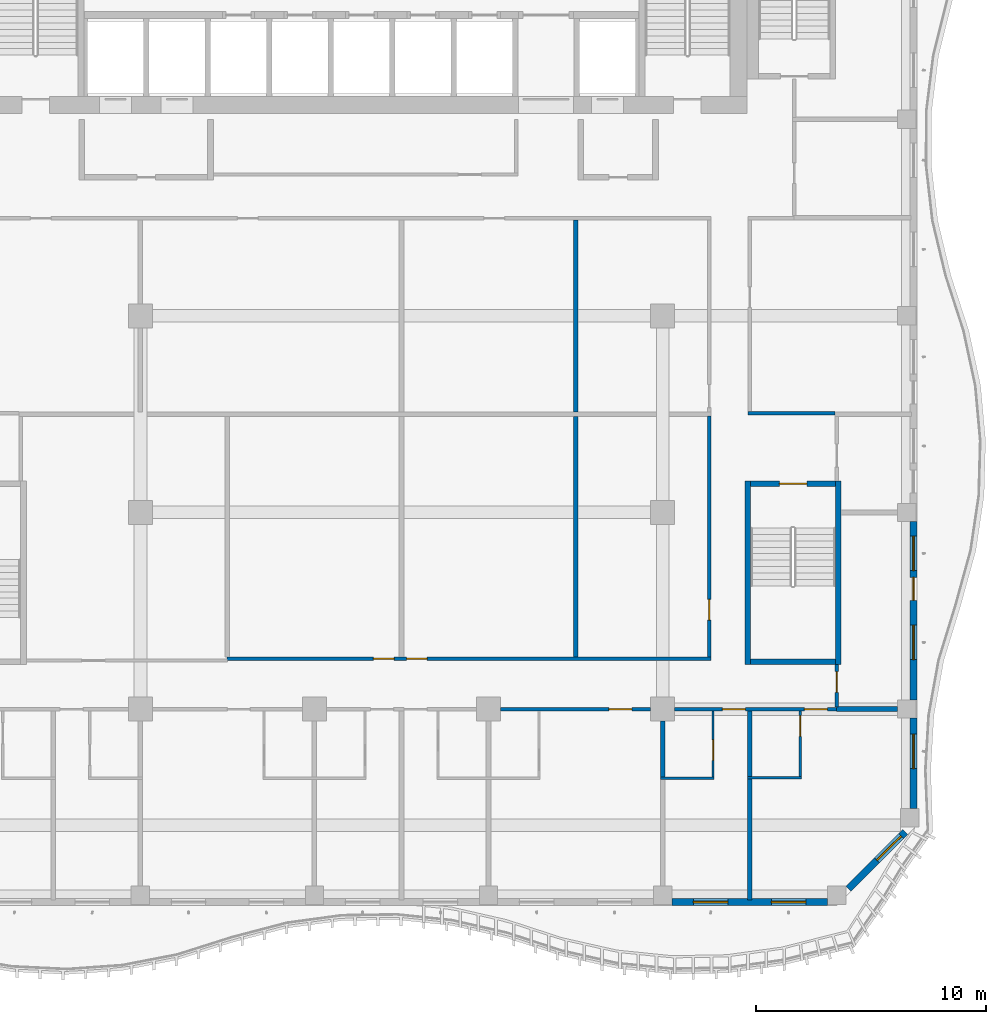
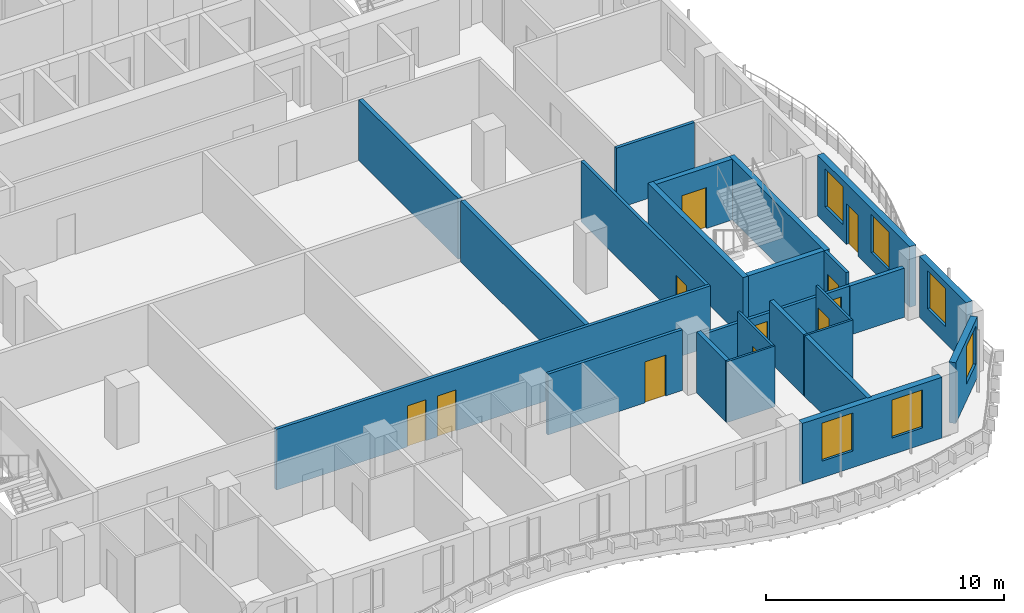
# One storey, part 5 of 21: 24 walls, 11 doors, 6 windows, 17 openings.
"""IFC4 building model written with IfcOpenShell, lengths in metres."""

from ifc_helpers import new_model, si_unit, direction, frame, frame_2d, origin, place, context, subcontext, project, spatial, rectangle, extrude, source, transform, mapped, material, layer, layer_set, type_object, element, fill, save


model = new_model("IFC4")

# Units and contexts
model_context = context("Model", 3, precision=1e-05, world=origin(), true_north=direction((0.0, 1.0)))
body_context = subcontext(model_context, "Body", "Model", "MODEL_VIEW")
ifc_project = project(units=[si_unit("LENGTHUNIT", "METRE"), si_unit("AREAUNIT", "SQUARE_METRE"), si_unit("VOLUMEUNIT", "CUBIC_METRE"), si_unit("PLANEANGLEUNIT", "RADIAN"), si_unit("MASSUNIT", "GRAM", prefix="KILO")], contexts=[model_context])

# Site, building, storey
site_placement = place(None, origin())
site = spatial("IfcSite", under=ifc_project, at=site_placement, CompositionType="ELEMENT")
building_placement = place(site_placement, origin())
building = spatial("IfcBuilding", under=site, at=building_placement, Name="Kilnfold Tower and Market Hall", CompositionType="ELEMENT")
storey_placement = place(building_placement, frame((0.0, 0.0, 185.5)))
storey = spatial("IfcBuildingStorey", under=building, at=storey_placement, Name="L44", CompositionType="ELEMENT", Elevation=185.5)

# Wall, opening, door
ifc_material_1 = material(Name="Gypsum board on steel studs", Category="steel")
ifc_layer_1 = layer(ifc_material_1, 0.14990234375)
ifc_layer_set_1 = layer_set([ifc_layer_1], Name="Gypsum board on steel studs")
wall_type_1 = type_object("IfcWallType", Name="WALL CORRIDOR 150", PredefinedType="PARTITIONING", material=ifc_layer_set_1)
wall_1_placement = place(storey_placement, frame((7.10791015625, -17.699951171875, 0.0), z_axis=(0.0, 0.0, 1.0), x_axis=(1.0, 0.0, 0.0)))
wall_1 = element("IfcWall", 1, at=wall_1_placement, inside=storey, type_object=wall_type_1, Name="Partition LY27.5", PredefinedType="PARTITIONING", context=body_context, shape_type="SweptSolid", body=[
    extrude(rectangle(XDim=6.5341796875, YDim=0.14990234375, at=frame_2d((3.26708984375, 0.0))), origin(), (0.0, 0.0, 1.0), 3.1201171875),
])
opening_1_placement = place(wall_1_placement, frame((4.721923828125, 0.0, 0.0)))
opening_1 = element("IfcOpeningElement", 2, at=opening_1_placement, cuts=wall_1, Name="Opening D1", PredefinedType="OPENING", context=body_context, shape_type="SweptSolid", body=[
    extrude(rectangle(XDim=1.0, YDim=2.10009765625, at=frame_2d((0.5, 1.050048828125))), frame((0.0, 0.0849609375, 0.0), z_axis=(0.0, -1.0, 0.0), x_axis=(1.0, 0.0, 0.0)), (0.0, 0.0, 1.0), 0.169921875),
])
ifc_material_2 = material(Name="Timber veneer door leaf in steel frame", Category="steel")
door_type_1 = type_object("IfcDoorType", Name="DOOR ENTRY 1000 X2100", OperationType="NOTDEFINED", PredefinedType="DOOR", material=ifc_material_2)
door_1_placement = place(opening_1_placement, origin())
door_1 = element("IfcDoor", 3, at=door_1_placement, inside=storey, type_object=door_type_1, Name="Door D1", OperationType="SINGLE_SWING_LEFT", OverallHeight=2.10009765625, OverallWidth=1.0, PredefinedType="DOOR", context=body_context, shape_type="SweptSolid", body=[
    extrude(rectangle(XDim=1.0, YDim=2.10009765625, at=frame_2d((0.5, 1.050048828125))), frame((0.0, 0.02490234375, 0.0), z_axis=(0.0, -1.0, 0.0), x_axis=(1.0, 0.0, 0.0)), (0.0, 0.0, 1.0), 0.050048828125),
])
fill(opening_1, door_1)

# Wall, openings, doors
wall_2_placement = place(storey_placement, frame((14.69189453125, -17.699951171875, 0.0), z_axis=(0.0, 0.0, 1.0), x_axis=(1.0, 0.0, 0.0)))
wall_2 = element("IfcWall", 4, at=wall_2_placement, inside=storey, type_object=wall_type_1, Name="Partition LY27.6", PredefinedType="PARTITIONING", context=body_context, shape_type="SweptSolid", body=[
    extrude(rectangle(XDim=7.05810546875, YDim=0.14990234375, at=frame_2d((3.529052734375, 0.0))), origin(), (0.0, 0.0, 1.0), 2.52001953125),
])
opening_2_placement = place(wall_2_placement, frame((2.076904296875, 0.0, 0.0)))
opening_2 = element("IfcOpeningElement", 5, at=opening_2_placement, cuts=wall_2, Name="Opening D1", PredefinedType="OPENING", context=body_context, shape_type="SweptSolid", body=[
    extrude(rectangle(XDim=1.0, YDim=2.10009765625, at=frame_2d((0.5, 1.050048828125))), frame((0.0, 0.0849609375, 0.0), z_axis=(0.0, -1.0, 0.0), x_axis=(1.0, 0.0, 0.0)), (0.0, 0.0, 1.0), 0.169921875),
])
opening_3_placement = place(wall_2_placement, frame((5.656982421875, 0.0, 0.0)))
opening_3 = element("IfcOpeningElement", 6, at=opening_3_placement, cuts=wall_2, Name="Opening D1", PredefinedType="OPENING", context=body_context, shape_type="SweptSolid", body=[
    extrude(rectangle(XDim=1.0, YDim=2.10009765625, at=frame_2d((0.5, 1.050048828125))), frame((0.0, 0.0849609375, 0.0), z_axis=(0.0, -1.0, 0.0), x_axis=(1.0, 0.0, 0.0)), (0.0, 0.0, 1.0), 0.169921875),
])
door_2_placement = place(opening_2_placement, origin())
door_2 = element("IfcDoor", 7, at=door_2_placement, inside=storey, type_object=door_type_1, Name="Door D1", OperationType="SINGLE_SWING_LEFT", OverallHeight=2.10009765625, OverallWidth=1.0, PredefinedType="DOOR", context=body_context, shape_type="SweptSolid", body=[
    extrude(rectangle(XDim=1.0, YDim=2.10009765625, at=frame_2d((0.5, 1.050048828125))), frame((0.0, 0.02490234375, 0.0), z_axis=(0.0, -1.0, 0.0), x_axis=(1.0, 0.0, 0.0)), (0.0, 0.0, 1.0), 0.050048828125),
])
fill(opening_2, door_2)
door_3_placement = place(opening_3_placement, origin())
door_3 = element("IfcDoor", 8, at=door_3_placement, inside=storey, type_object=door_type_1, Name="Door D1", OperationType="SINGLE_SWING_LEFT", OverallHeight=2.10009765625, OverallWidth=1.0, PredefinedType="DOOR", context=body_context, shape_type="SweptSolid", body=[
    extrude(rectangle(XDim=1.0, YDim=2.10009765625, at=frame_2d((0.5, 1.050048828125))), frame((0.0, 0.02490234375, 0.0), z_axis=(0.0, -1.0, 0.0), x_axis=(1.0, 0.0, 0.0)), (0.0, 0.0, 1.0), 0.050048828125),
])
fill(opening_3, door_3)

# Wall
wall_3_placement = place(storey_placement, frame((17.884033203125, -4.800048828125, 0.0), z_axis=(0.0, 0.0, 1.0), x_axis=(1.0, 0.0, 0.0)))
element("IfcWall", 9, at=wall_3_placement, inside=storey, type_object=wall_type_1, Name="Partition LY27.36", PredefinedType="PARTITIONING", context=body_context, shape_type="SweptSolid", body=[
    extrude(rectangle(XDim=3.79296875, YDim=0.14990234375, at=frame_2d((1.896484375, 0.0))), origin(), (0.0, 0.0, 1.0), 3.1201171875),
])

# Wall, opening, door
wall_4_placement = place(storey_placement, frame((21.75, -17.597900390625, 0.0), z_axis=(0.0, 0.0, 1.0), x_axis=(0.0, 1.0, 0.0)))
wall_4 = element("IfcWall", 10, at=wall_4_placement, inside=storey, type_object=wall_type_1, Name="Partition LY27.38", PredefinedType="PARTITIONING", context=body_context, shape_type="SweptSolid", body=[
    extrude(rectangle(XDim=1.847900390625, YDim=0.14990234375, at=frame_2d((0.923828125, 0.0))), origin(), (0.0, 0.0, 1.0), 3.1201171875),
])
opening_4_placement = place(wall_4_placement, frame((0.637939453125, 0.0, 0.0)))
opening_4 = element("IfcOpeningElement", 11, at=opening_4_placement, cuts=wall_4, Name="Opening D2", PredefinedType="OPENING", context=body_context, shape_type="SweptSolid", body=[
    extrude(rectangle(XDim=0.89990234375, YDim=2.10009765625, at=frame_2d((0.449951171875, 1.050048828125))), frame((0.0, 0.0849609375, 0.0), z_axis=(0.0, -1.0, 0.0), x_axis=(1.0, 0.0, 0.0)), (0.0, 0.0, 1.0), 0.169921875),
])
ifc_material_3 = material(Name="Timber veneer door leaf in steel frame", Category="steel")
door_type_2 = type_object("IfcDoorType", Name="DOOR ROOM 900 X2100", OperationType="NOTDEFINED", PredefinedType="DOOR", material=ifc_material_3)
door_4_placement = place(opening_4_placement, origin())
door_4 = element("IfcDoor", 12, at=door_4_placement, inside=storey, type_object=door_type_2, Name="Door D2", OperationType="SINGLE_SWING_LEFT", OverallHeight=2.10009765625, OverallWidth=0.89990234375, PredefinedType="DOOR", context=body_context, shape_type="SweptSolid", body=[
    extrude(rectangle(XDim=0.89990234375, YDim=2.10009765625, at=frame_2d((0.449951171875, 1.050048828125))), frame((0.0, 0.02490234375, 0.0), z_axis=(0.0, -1.0, 0.0), x_axis=(1.0, 0.0, 0.0)), (0.0, 0.0, 1.0), 0.050048828125),
])
fill(opening_4, door_4)

# Wall, openings, doors
wall_5_placement = place(storey_placement, frame((-4.802001953125, -15.5, 0.0), z_axis=(0.0, 0.0, 1.0), x_axis=(1.0, 0.0, 0.0)))
wall_5 = element("IfcWall", 13, at=wall_5_placement, inside=storey, type_object=wall_type_1, Name="Partition LY27.48", PredefinedType="PARTITIONING", context=body_context, shape_type="SweptSolid", body=[
    extrude(rectangle(XDim=21.076904296875, YDim=0.14990234375, at=frame_2d((10.53857421875, 0.0))), origin(), (0.0, 0.0, 1.0), 3.1201171875),
])
opening_5_placement = place(wall_5_placement, frame((6.3720703125, 0.0, 0.0)))
opening_5 = element("IfcOpeningElement", 14, at=opening_5_placement, cuts=wall_5, Name="Opening D2", PredefinedType="OPENING", context=body_context, shape_type="SweptSolid", body=[
    extrude(rectangle(XDim=0.89990234375, YDim=2.10009765625, at=frame_2d((0.449951171875, 1.050048828125))), frame((0.0, 0.0849609375, 0.0), z_axis=(0.0, -1.0, 0.0), x_axis=(1.0, 0.0, 0.0)), (0.0, 0.0, 1.0), 0.169921875),
])
opening_6_placement = place(wall_5_placement, frame((7.81494140625, 0.0, 0.0)))
opening_6 = element("IfcOpeningElement", 15, at=opening_6_placement, cuts=wall_5, Name="Opening D2", PredefinedType="OPENING", context=body_context, shape_type="SweptSolid", body=[
    extrude(rectangle(XDim=0.89990234375, YDim=2.10009765625, at=frame_2d((0.449951171875, 1.050048828125))), frame((0.0, 0.0849609375, 0.0), z_axis=(0.0, -1.0, 0.0), x_axis=(1.0, 0.0, 0.0)), (0.0, 0.0, 1.0), 0.169921875),
])
door_5_placement = place(opening_5_placement, origin())
door_5 = element("IfcDoor", 16, at=door_5_placement, inside=storey, type_object=door_type_2, Name="Door D2", OperationType="SINGLE_SWING_LEFT", OverallHeight=2.10009765625, OverallWidth=0.89990234375, PredefinedType="DOOR", context=body_context, shape_type="SweptSolid", body=[
    extrude(rectangle(XDim=0.89990234375, YDim=2.10009765625, at=frame_2d((0.449951171875, 1.050048828125))), frame((0.0, 0.02490234375, 0.0), z_axis=(0.0, -1.0, 0.0), x_axis=(1.0, 0.0, 0.0)), (0.0, 0.0, 1.0), 0.050048828125),
])
fill(opening_5, door_5)
door_6_placement = place(opening_6_placement, origin())
door_6 = element("IfcDoor", 17, at=door_6_placement, inside=storey, type_object=door_type_2, Name="Door D2", OperationType="SINGLE_SWING_LEFT", OverallHeight=2.10009765625, OverallWidth=0.89990234375, PredefinedType="DOOR", context=body_context, shape_type="SweptSolid", body=[
    extrude(rectangle(XDim=0.89990234375, YDim=2.10009765625, at=frame_2d((0.449951171875, 1.050048828125))), frame((0.0, 0.02490234375, 0.0), z_axis=(0.0, -1.0, 0.0), x_axis=(1.0, 0.0, 0.0)), (0.0, 0.0, 1.0), 0.050048828125),
])
fill(opening_6, door_6)

# Wall, opening, door
wall_6_placement = place(storey_placement, frame((16.199951171875, -15.425048828125, 0.0), z_axis=(0.0, 0.0, 1.0), x_axis=(0.0, 1.0, 0.0)))
wall_6 = element("IfcWall", 18, at=wall_6_placement, inside=storey, type_object=wall_type_1, Name="Partition LY27.49", PredefinedType="PARTITIONING", context=body_context, shape_type="SweptSolid", body=[
    extrude(rectangle(XDim=10.491943359375, YDim=0.14990234375, at=frame_2d((5.24609375, 0.0))), origin(), (0.0, 0.0, 1.0), 3.1201171875),
])
opening_7_placement = place(wall_6_placement, frame((1.614013671875, 0.0, 0.0)))
opening_7 = element("IfcOpeningElement", 19, at=opening_7_placement, cuts=wall_6, Name="Opening D2", PredefinedType="OPENING", context=body_context, shape_type="SweptSolid", body=[
    extrude(rectangle(XDim=0.89990234375, YDim=2.10009765625, at=frame_2d((0.449951171875, 1.050048828125))), frame((0.0, 0.0849609375, 0.0), z_axis=(0.0, -1.0, 0.0), x_axis=(1.0, 0.0, 0.0)), (0.0, 0.0, 1.0), 0.169921875),
])
door_7_placement = place(opening_7_placement, origin())
door_7 = element("IfcDoor", 20, at=door_7_placement, inside=storey, type_object=door_type_2, Name="Door D2", OperationType="SINGLE_SWING_RIGHT", OverallHeight=2.10009765625, OverallWidth=0.89990234375, PredefinedType="DOOR", context=body_context, shape_type="SweptSolid", body=[
    extrude(rectangle(XDim=0.89990234375, YDim=2.10009765625, at=frame_2d((0.449951171875, 1.050048828125))), frame((0.0, 0.02490234375, 0.0), z_axis=(0.0, -1.0, 0.0), x_axis=(1.0, 0.0, 0.0)), (0.0, 0.0, 1.0), 0.050048828125),
])
fill(opening_7, door_7)

ifc_material_4 = material(Name="Gypsum board on steel studs", Category="steel")
ifc_layer_2 = layer(ifc_material_4, 0.10009765625)
ifc_layer_set_2 = layer_set([ifc_layer_2], Name="Gypsum board on steel studs")
wall_type_2 = type_object("IfcWallType", Name="WALL PARTITION 100", PredefinedType="PARTITIONING", material=ifc_layer_set_2)
wall_7_placement = place(storey_placement, frame((16.366943359375, -17.777099609375, 0.0), z_axis=(0.0, 0.0, 1.0), x_axis=(0.0, -1.0, 0.0)))
wall_7 = element("IfcWall", 21, at=wall_7_placement, inside=storey, type_object=wall_type_2, Name="Partition LY27.76", PredefinedType="PARTITIONING", context=body_context, shape_type="SweptSolid", body=[
    extrude(rectangle(XDim=2.875, YDim=0.10009765625, at=frame_2d((1.4375, 0.0))), origin(), (0.0, 0.0, 1.0), 3.1201171875),
])
opening_8_placement = place(wall_7_placement, frame((1.25, 0.0, 0.0)))
opening_8 = element("IfcOpeningElement", 22, at=opening_8_placement, cuts=wall_7, Name="Opening D3", PredefinedType="OPENING", context=body_context, shape_type="SweptSolid", body=[
    extrude(rectangle(XDim=0.89990234375, YDim=2.10009765625, at=frame_2d((0.449951171875, 1.050048828125))), frame((0.0, 0.06005859375, 0.0), z_axis=(0.0, -1.0, 0.0), x_axis=(1.0, 0.0, 0.0)), (0.0, 0.0, 1.0), 0.1201171875),
])
ifc_material_5 = material(Name="Timber veneer door leaf in steel frame", Category="steel")
door_type_3 = type_object("IfcDoorType", Name="DOOR WC 900 X2100", OperationType="NOTDEFINED", PredefinedType="DOOR", material=ifc_material_5)
door_8_placement = place(opening_8_placement, origin())
door_8 = element("IfcDoor", 23, at=door_8_placement, inside=storey, type_object=door_type_3, Name="Door D3", OperationType="SINGLE_SWING_LEFT", OverallHeight=2.10009765625, OverallWidth=0.89990234375, PredefinedType="DOOR", context=body_context, shape_type="SweptSolid", body=[
    extrude(rectangle(XDim=0.89990234375, YDim=2.10009765625, at=frame_2d((0.449951171875, 1.050048828125))), frame((0.0, 0.02490234375, 0.0), z_axis=(0.0, -1.0, 0.0), x_axis=(1.0, 0.0, 0.0)), (0.0, 0.0, 1.0), 0.050048828125),
])
fill(opening_8, door_8)

# Walls
for number, where, z_axis, x_axis, name in (
    (24, (14.06689453125, -20.701904296875, 0.0), (0.0, 0.0, 1.0), (1.0, 0.0, 0.0), "Partition LY27.77"),
    (25, (17.85888671875, -20.68798828125, 0.0), (0.0, 0.0, 1.0), (1.0, 0.0, 0.0), "Partition LY27.80"),
):
    element("IfcWall", number, at=place(storey_placement, frame(where, z_axis=z_axis, x_axis=x_axis)), inside=storey, type_object=wall_type_2, Name=name, PredefinedType="PARTITIONING", context=body_context, shape_type="SweptSolid", body=[
        extrude(rectangle(XDim=2.35009765625, YDim=0.10009765625, at=frame_2d((1.175048828125, 0.0))), origin(), (0.0, 0.0, 1.0), 3.1201171875),
    ])

# Wall, opening, door
wall_8_placement = place(storey_placement, frame((20.158935546875, -17.777099609375, 0.0), z_axis=(0.0, 0.0, 1.0), x_axis=(0.0, -1.0, 0.0)))
wall_8 = element("IfcWall", 26, at=wall_8_placement, inside=storey, type_object=wall_type_2, Name="Partition LY27.81", PredefinedType="PARTITIONING", context=body_context, shape_type="SweptSolid", body=[
    extrude(rectangle(XDim=2.86083984375, YDim=0.10009765625, at=frame_2d((1.430419921875, 0.0))), origin(), (0.0, 0.0, 1.0), 3.1201171875),
])
opening_9_placement = place(wall_8_placement, frame((0.199951171875, 0.0, 0.0)))
opening_9 = element("IfcOpeningElement", 27, at=opening_9_placement, cuts=wall_8, Name="Opening D3", PredefinedType="OPENING", context=body_context, shape_type="SweptSolid", body=[
    extrude(rectangle(XDim=0.89990234375, YDim=2.10009765625, at=frame_2d((0.449951171875, 1.050048828125))), frame((0.0, 0.06005859375, 0.0), z_axis=(0.0, -1.0, 0.0), x_axis=(1.0, 0.0, 0.0)), (0.0, 0.0, 1.0), 0.1201171875),
])
door_9_placement = place(opening_9_placement, origin())
door_9 = element("IfcDoor", 28, at=door_9_placement, inside=storey, type_object=door_type_3, Name="Door D3", OperationType="SINGLE_SWING_LEFT", OverallHeight=2.10009765625, OverallWidth=0.89990234375, PredefinedType="DOOR", context=body_context, shape_type="SweptSolid", body=[
    extrude(rectangle(XDim=0.89990234375, YDim=2.10009765625, at=frame_2d((0.449951171875, 1.050048828125))), frame((0.0, 0.02490234375, 0.0), z_axis=(0.0, -1.0, 0.0), x_axis=(1.0, 0.0, 0.0)), (0.0, 0.0, 1.0), 0.050048828125),
])
fill(opening_9, door_9)

# Walls
ifc_material_6 = material(Name="Gypsum board on steel studs", Category="steel")
ifc_layer_3 = layer(ifc_material_6, 0.199951171875)
ifc_layer_set_3 = layer_set([ifc_layer_3], Name="Gypsum board on steel studs")
wall_type_3 = type_object("IfcWallType", Name="WALL PARTY 200", PredefinedType="PARTITIONING", material=ifc_layer_set_3)
wall_9_placement = place(storey_placement, frame((14.1669921875, -20.662109375, 0.0), z_axis=(0.0, 0.0, 1.0), x_axis=(0.0, 1.0, 0.0)))
element("IfcWall", 29, at=wall_9_placement, inside=storey, type_object=wall_type_3, Name="Partition LY27.75", PredefinedType="PARTITIONING", context=body_context, shape_type="SweptSolid", body=[
    extrude(rectangle(XDim=2.4501953125, YDim=0.199951171875, at=frame_2d((1.22509765625, 0.0))), origin(), (0.0, 0.0, 1.0), 3.1201171875),
])
wall_10_placement = place(storey_placement, frame((17.958984375, -26.0, 0.0), z_axis=(0.0, 0.0, 1.0), x_axis=(0.0, 1.0, 0.0)))
element("IfcWall", 30, at=wall_10_placement, inside=storey, type_object=wall_type_3, Name="Partition LY27.78", PredefinedType="PARTITIONING", context=body_context, shape_type="SweptSolid", body=[
    extrude(rectangle(XDim=5.27197265625, YDim=0.199951171875, at=frame_2d((2.635986328125, 0.0))), origin(), (0.0, 0.0, 1.0), 3.1201171875),
])
wall_11_placement = place(storey_placement, frame((17.958984375, -20.64794921875, 0.0), z_axis=(0.0, 0.0, 1.0), x_axis=(0.0, 1.0, 0.0)))
element("IfcWall", 31, at=wall_11_placement, inside=storey, type_object=wall_type_3, Name="Partition LY27.79", PredefinedType="PARTITIONING", context=body_context, shape_type="SweptSolid", body=[
    extrude(rectangle(XDim=2.870849609375, YDim=0.199951171875, at=frame_2d((1.435546875, 0.0))), origin(), (0.0, 0.0, 1.0), 3.1201171875),
])
wall_12_placement = place(storey_placement, frame((21.751953125, -17.68798828125, 0.0), z_axis=(0.0, 0.0, 1.0), x_axis=(1.0, 0.0, 0.0)))
element("IfcWall", 32, at=wall_12_placement, inside=storey, type_object=wall_type_3, Name="Partition LY27.82", PredefinedType="PARTITIONING", context=body_context, shape_type="SweptSolid", body=[
    extrude(rectangle(XDim=2.64794921875, YDim=0.199951171875, at=frame_2d((1.323974609375, 0.0))), origin(), (0.0, 0.0, 1.0), 2.52001953125),
])
wall_13_placement = place(storey_placement, frame((10.375, -4.742919921875, 0.0), z_axis=(0.0, 0.0, 1.0), x_axis=(0.0, 1.0, 0.0)))
element("IfcWall", 33, at=wall_13_placement, inside=storey, type_object=wall_type_3, Name="Partition LY27.121", PredefinedType="PARTITIONING", context=body_context, shape_type="SweptSolid", body=[
    extrude(rectangle(XDim=8.365966796875, YDim=0.199951171875, at=frame_2d((4.18310546875, 0.0))), origin(), (0.0, 0.0, 1.0), 3.1201171875),
])
wall_14_placement = place(storey_placement, frame((10.375, -15.423095703125, 0.0), z_axis=(0.0, 0.0, 1.0), x_axis=(0.0, 1.0, 0.0)))
element("IfcWall", 34, at=wall_14_placement, inside=storey, type_object=wall_type_3, Name="Partition LY27.124", PredefinedType="PARTITIONING", context=body_context, shape_type="SweptSolid", body=[
    extrude(rectangle(XDim=10.47998046875, YDim=0.199951171875, at=frame_2d((5.239990234375, 0.0))), origin(), (0.0, 0.0, 1.0), 3.1201171875),
])
ifc_material_7 = material(Name="Concrete C60", Category="concrete")
ifc_layer_4 = layer(ifc_material_7, 0.25)
ifc_layer_set_4 = layer_set([ifc_layer_4], Name="Concrete C60")
wall_type_4 = type_object("IfcWallType", Name="CORE WALL 250 C60", PredefinedType="SHEAR", material=ifc_layer_set_4)
shared_shape_1 = source(origin(), body_context, "Body", "SweptSolid", [
    extrude(rectangle(XDim=3.699951171875, YDim=0.25, at=frame_2d((1.85009765625, 0.0))), origin(), (0.0, 0.0, 1.0), 3.1201171875),
])
wall_15_placement = place(storey_placement, frame((18.0, -15.625, 0.0), z_axis=(0.0, 0.0, 1.0), x_axis=(1.0, 0.0, 0.0)))
element("IfcWall", 35, at=wall_15_placement, inside=storey, type_object=wall_type_4, Name="Stair enclosure ST4", PredefinedType="SHEAR", context=body_context, shape_type="MappedRepresentation", body=[
    mapped(shared_shape_1, transform((0.0, 0.0, 0.0))),
])

# Wall, opening, door
wall_16_placement = place(storey_placement, frame((18.0, -7.875, 0.0), z_axis=(0.0, 0.0, 1.0), x_axis=(1.0, 0.0, 0.0)))
wall_16 = element("IfcWall", 36, at=wall_16_placement, inside=storey, type_object=wall_type_4, Name="Stair enclosure ST4", PredefinedType="SHEAR", context=body_context, shape_type="MappedRepresentation", body=[
    mapped(shared_shape_1, transform((0.0, 0.0, 0.0))),
])
opening_10_placement = place(wall_16_placement, frame((1.25, 0.0, 0.0)))
opening_10 = element("IfcOpeningElement", 37, at=opening_10_placement, cuts=wall_16, Name="Opening SD1", PredefinedType="OPENING", context=body_context, shape_type="SweptSolid", body=[
    extrude(rectangle(XDim=1.199951171875, YDim=2.10009765625, at=frame_2d((0.60009765625, 1.050048828125))), frame((0.0, 0.135009765625, 0.0), z_axis=(0.0, -1.0, 0.0), x_axis=(1.0, 0.0, 0.0)), (0.0, 0.0, 1.0), 0.27001953125),
])
ifc_material_8 = material(Name="Steel door set with fire-resisting leaf", Category="steel")
door_type_4 = type_object("IfcDoorType", Name="STAIR FLOOR DOOR 1200X2100", OperationType="NOTDEFINED", PredefinedType="DOOR", material=ifc_material_8)
door_10_placement = place(opening_10_placement, origin())
door_10 = element("IfcDoor", 38, at=door_10_placement, inside=storey, type_object=door_type_4, Name="Exit stair ST4 door", OperationType="DOUBLE_DOOR_SINGLE_SWING", OverallHeight=2.10009765625, OverallWidth=1.199951171875, PredefinedType="DOOR", context=body_context, shape_type="SweptSolid", body=[
    extrude(rectangle(XDim=1.199951171875, YDim=2.10009765625, at=frame_2d((0.60009765625, 1.050048828125))), frame((0.0, 0.02490234375, 0.0), z_axis=(0.0, -1.0, 0.0), x_axis=(1.0, 0.0, 0.0)), (0.0, 0.0, 1.0), 0.050048828125),
])
fill(opening_10, door_10)

# Walls
shared_shape_2 = source(origin(), body_context, "Body", "SweptSolid", [
    extrude(rectangle(XDim=8.0, YDim=0.25, at=frame_2d((4.0, 0.0))), origin(), (0.0, 0.0, 1.0), 3.1201171875),
])
for number, where, z_axis, x_axis, name in (
    (39, (17.875, -15.75, 0.0), (0.0, 0.0, 1.0), (0.0, 1.0, 0.0), "Stair enclosure ST4"),
    (40, (21.824951171875, -15.75, 0.0), (0.0, 0.0, 1.0), (0.0, 1.0, 0.0), "Stair enclosure ST4"),
):
    element("IfcWall", number, at=place(storey_placement, frame(where, z_axis=z_axis, x_axis=x_axis)), inside=storey, type_object=wall_type_4, Name=name, PredefinedType="SHEAR", context=body_context, shape_type="MappedRepresentation", body=[
        mapped(shared_shape_2, transform((0.0, 0.0, 0.0))),
    ])

# Wall, openings, windows
ifc_material_9 = material(Name="Precast concrete C50/60", Category="concrete")
ifc_layer_5 = layer(ifc_material_9, 0.300048828125)
ifc_layer_set_5 = layer_set([ifc_layer_5], Name="Precast concrete C50/60")
wall_type_5 = type_object("IfcWallType", Name="PRECAST WALL 300", PredefinedType="SOLIDWALL", material=ifc_layer_set_5)
shared_shape_3 = source(origin(), body_context, "Body", "SweptSolid", [
    extrude(rectangle(XDim=6.783447265625, YDim=0.300048828125, at=frame_2d((3.3916015625, 0.0))), origin(), (0.0, 0.0, 1.0), 3.1201171875),
])
wall_17_placement = place(storey_placement, frame((14.566650390625, -26.10009765625, 0.0), z_axis=(0.0, 0.0, 1.0), x_axis=(1.0, 0.0, 0.0)))
wall_17 = element("IfcWall", 41, at=wall_17_placement, inside=storey, type_object=wall_type_5, Name="External wall L44 S", PredefinedType="SOLIDWALL", context=body_context, shape_type="MappedRepresentation", body=[
    mapped(shared_shape_3, transform((0.0, 0.0, 0.0))),
])
opening_11_placement = place(wall_17_placement, frame((0.94580078125, 0.0, 0.85009765625)))
opening_11 = element("IfcOpeningElement", 42, at=opening_11_placement, cuts=wall_17, Name="Opening W4", PredefinedType="OPENING", context=body_context, shape_type="SweptSolid", body=[
    extrude(rectangle(XDim=1.5, YDim=1.949951171875, at=frame_2d((0.75, 0.97509765625))), frame((0.0, 0.16015625, 0.0), z_axis=(0.0, -1.0, 0.0), x_axis=(1.0, 0.0, 0.0)), (0.0, 0.0, 1.0), 0.320068359375),
])
opening_12_placement = place(wall_17_placement, frame((4.33740234375, 0.0, 0.85009765625)))
opening_12 = element("IfcOpeningElement", 43, at=opening_12_placement, cuts=wall_17, Name="Opening W4", PredefinedType="OPENING", context=body_context, shape_type="SweptSolid", body=[
    extrude(rectangle(XDim=1.5, YDim=1.949951171875, at=frame_2d((0.75, 0.97509765625))), frame((0.0, 0.16015625, 0.0), z_axis=(0.0, -1.0, 0.0), x_axis=(1.0, 0.0, 0.0)), (0.0, 0.0, 1.0), 0.320068359375),
])
ifc_material_10 = material(Name="Aluminium frame and double glazing", Category="aluminium")
window_type = type_object("IfcWindowType", Name="WINDOW W4 1500X1950", PartitioningType="SINGLE_PANEL", PredefinedType="WINDOW", material=ifc_material_10)
window_1_placement = place(opening_11_placement, origin())
window_1 = element("IfcWindow", 44, at=window_1_placement, inside=storey, type_object=window_type, Name="Window W4 L44 S-1", OverallHeight=1.949951171875, OverallWidth=1.5, PartitioningType="SINGLE_PANEL", PredefinedType="WINDOW", context=body_context, shape_type="SweptSolid", body=[
    extrude(rectangle(XDim=1.5, YDim=1.949951171875, at=frame_2d((0.75, 0.97509765625))), frame((0.0, 0.030029296875, 0.0), z_axis=(0.0, -1.0, 0.0), x_axis=(1.0, 0.0, 0.0)), (0.0, 0.0, 1.0), 0.06005859375),
])
fill(opening_11, window_1)
window_2_placement = place(opening_12_placement, origin())
window_2 = element("IfcWindow", 45, at=window_2_placement, inside=storey, type_object=window_type, Name="Window W4 L44 S-2", OverallHeight=1.949951171875, OverallWidth=1.5, PartitioningType="SINGLE_PANEL", PredefinedType="WINDOW", context=body_context, shape_type="SweptSolid", body=[
    extrude(rectangle(XDim=1.5, YDim=1.949951171875, at=frame_2d((0.75, 0.97509765625))), frame((0.0, 0.030029296875, 0.0), z_axis=(0.0, -1.0, 0.0), x_axis=(1.0, 0.0, 0.0)), (0.0, 0.0, 1.0), 0.06005859375),
])
fill(opening_12, window_2)

# Wall, opening, window
shared_shape_4 = source(origin(), body_context, "Body", "SweptSolid", [
    extrude(rectangle(XDim=3.500244140625, YDim=0.300048828125, at=frame_2d((1.75, 0.0))), origin(), (0.0, 0.0, 1.0), 3.1201171875),
])
wall_18_placement = place(storey_placement, frame((22.268798828125, -25.518798828125, 0.0), z_axis=(0.0, 0.0, 1.0), x_axis=(0.707141656123, 0.70707190453, 0.0)))
wall_18 = element("IfcWall", 46, at=wall_18_placement, inside=storey, type_object=wall_type_5, Name="External wall L44 SE", PredefinedType="SOLIDWALL", context=body_context, shape_type="MappedRepresentation", body=[
    mapped(shared_shape_4, transform((0.0, 0.0, 0.0))),
])
opening_13_placement = place(wall_18_placement, frame((1.75, 0.0, 0.85009765625)))
opening_13 = element("IfcOpeningElement", 47, at=opening_13_placement, cuts=wall_18, Name="Opening W4", PredefinedType="OPENING", context=body_context, shape_type="SweptSolid", body=[
    extrude(rectangle(XDim=1.5, YDim=1.949951171875, at=frame_2d((0.75, 0.97509765625))), frame((0.0, 0.16015625, 0.0), z_axis=(0.0, -1.0, 0.0), x_axis=(1.0, 0.0, 0.0)), (0.0, 0.0, 1.0), 0.320068359375),
])
window_3_placement = place(opening_13_placement, origin())
window_3 = element("IfcWindow", 48, at=window_3_placement, inside=storey, type_object=window_type, Name="Window W4 L44 SE-1", OverallHeight=1.949951171875, OverallWidth=1.5, PartitioningType="SINGLE_PANEL", PredefinedType="WINDOW", context=body_context, shape_type="SweptSolid", body=[
    extrude(rectangle(XDim=1.5, YDim=1.949951171875, at=frame_2d((0.75, 0.97509765625))), frame((0.0, 0.030029296875, 0.0), z_axis=(0.0, -1.0, 0.0), x_axis=(1.0, 0.0, 0.0)), (0.0, 0.0, 1.0), 0.06005859375),
])
fill(opening_13, window_3)

shared_shape_5 = source(origin(), body_context, "Body", "SweptSolid", [
    extrude(rectangle(XDim=3.9443359375, YDim=0.300048828125, at=frame_2d((1.97216796875, 0.0))), origin(), (0.0, 0.0, 1.0), 3.1201171875),
])
wall_19_placement = place(storey_placement, frame((25.10009765625, -22.03173828125, 0.0), z_axis=(0.0, 0.0, 1.0), x_axis=(0.0, 1.0, 0.0)))
wall_19 = element("IfcWall", 49, at=wall_19_placement, inside=storey, type_object=wall_type_5, Name="External wall L44 E", PredefinedType="SOLIDWALL", context=body_context, shape_type="MappedRepresentation", body=[
    mapped(shared_shape_5, transform((0.0, 0.0, 0.0))),
])
opening_14_placement = place(wall_19_placement, frame((1.75, 0.0, 0.85009765625)))
opening_14 = element("IfcOpeningElement", 50, at=opening_14_placement, cuts=wall_19, Name="Opening W4", PredefinedType="OPENING", context=body_context, shape_type="SweptSolid", body=[
    extrude(rectangle(XDim=1.5, YDim=1.949951171875, at=frame_2d((0.75, 0.97509765625))), frame((0.0, 0.16015625, 0.0), z_axis=(0.0, -1.0, 0.0), x_axis=(1.0, 0.0, 0.0)), (0.0, 0.0, 1.0), 0.320068359375),
])
window_4_placement = place(opening_14_placement, origin())
window_4 = element("IfcWindow", 51, at=window_4_placement, inside=storey, type_object=window_type, Name="Window W4 L44 E-1", OverallHeight=1.949951171875, OverallWidth=1.5, PartitioningType="SINGLE_PANEL", PredefinedType="WINDOW", context=body_context, shape_type="SweptSolid", body=[
    extrude(rectangle(XDim=1.5, YDim=1.949951171875, at=frame_2d((0.75, 0.97509765625))), frame((0.0, 0.030029296875, 0.0), z_axis=(0.0, -1.0, 0.0), x_axis=(1.0, 0.0, 0.0)), (0.0, 0.0, 1.0), 0.06005859375),
])
fill(opening_14, window_4)

# Wall, openings, door, windows
shared_shape_6 = source(origin(), body_context, "Body", "SweptSolid", [
    extrude(rectangle(XDim=7.7626953125, YDim=0.300048828125, at=frame_2d((3.88134765625, 0.0))), origin(), (0.0, 0.0, 1.0), 3.1201171875),
])
wall_20_placement = place(storey_placement, frame((25.10009765625, -17.28759765625, 0.0), z_axis=(0.0, 0.0, 1.0), x_axis=(0.0, 1.0, 0.0)))
wall_20 = element("IfcWall", 52, at=wall_20_placement, inside=storey, type_object=wall_type_5, Name="External wall L44 E", PredefinedType="SOLIDWALL", context=body_context, shape_type="MappedRepresentation", body=[
    mapped(shared_shape_6, transform((0.0, 0.0, 0.0))),
])
opening_15_placement = place(wall_20_placement, frame((1.75, 0.0, 0.85009765625)))
opening_15 = element("IfcOpeningElement", 53, at=opening_15_placement, cuts=wall_20, Name="Opening W4", PredefinedType="OPENING", context=body_context, shape_type="SweptSolid", body=[
    extrude(rectangle(XDim=1.5, YDim=1.949951171875, at=frame_2d((0.75, 0.97509765625))), frame((0.0, 0.16015625, 0.0), z_axis=(0.0, -1.0, 0.0), x_axis=(1.0, 0.0, 0.0)), (0.0, 0.0, 1.0), 0.320068359375),
])
opening_16_placement = place(wall_20_placement, frame((5.63134765625, 0.0, 0.85009765625)))
opening_16 = element("IfcOpeningElement", 54, at=opening_16_placement, cuts=wall_20, Name="Opening W4", PredefinedType="OPENING", context=body_context, shape_type="SweptSolid", body=[
    extrude(rectangle(XDim=1.5, YDim=1.949951171875, at=frame_2d((0.75, 0.97509765625))), frame((0.0, 0.16015625, 0.0), z_axis=(0.0, -1.0, 0.0), x_axis=(1.0, 0.0, 0.0)), (0.0, 0.0, 1.0), 0.320068359375),
])
opening_17_placement = place(wall_20_placement, frame((4.331298828125, 0.0, 0.0)))
opening_17 = element("IfcOpeningElement", 55, at=opening_17_placement, cuts=wall_20, Name="Opening BD1", PredefinedType="OPENING", context=body_context, shape_type="SweptSolid", body=[
    extrude(rectangle(XDim=1.0, YDim=2.10009765625, at=frame_2d((0.5, 1.050048828125))), frame((0.0, 0.16015625, 0.0), z_axis=(0.0, -1.0, 0.0), x_axis=(1.0, 0.0, 0.0)), (0.0, 0.0, 1.0), 0.320068359375),
])
ifc_material_11 = material(Name="Aluminium frame and double glazing", Category="aluminium")
door_type_5 = type_object("IfcDoorType", Name="BALCONY DOOR 1000X2100", OperationType="NOTDEFINED", PredefinedType="DOOR", material=ifc_material_11)
door_11_placement = place(opening_17_placement, origin())
door_11 = element("IfcDoor", 56, at=door_11_placement, inside=storey, type_object=door_type_5, Name="Balcony door BD1 L44 E-2", OperationType="SINGLE_SWING_RIGHT", OverallHeight=2.10009765625, OverallWidth=1.0, PredefinedType="DOOR", context=body_context, shape_type="SweptSolid", body=[
    extrude(rectangle(XDim=1.0, YDim=2.10009765625, at=frame_2d((0.5, 1.050048828125))), frame((0.0, 0.02490234375, 0.0), z_axis=(0.0, -1.0, 0.0), x_axis=(1.0, 0.0, 0.0)), (0.0, 0.0, 1.0), 0.050048828125),
])
fill(opening_17, door_11)
window_5_placement = place(opening_15_placement, origin())
window_5 = element("IfcWindow", 57, at=window_5_placement, inside=storey, type_object=window_type, Name="Window W4 L44 E-1", OverallHeight=1.949951171875, OverallWidth=1.5, PartitioningType="SINGLE_PANEL", PredefinedType="WINDOW", context=body_context, shape_type="SweptSolid", body=[
    extrude(rectangle(XDim=1.5, YDim=1.949951171875, at=frame_2d((0.75, 0.97509765625))), frame((0.0, 0.030029296875, 0.0), z_axis=(0.0, -1.0, 0.0), x_axis=(1.0, 0.0, 0.0)), (0.0, 0.0, 1.0), 0.06005859375),
])
fill(opening_15, window_5)
window_6_placement = place(opening_16_placement, origin())
window_6 = element("IfcWindow", 58, at=window_6_placement, inside=storey, type_object=window_type, Name="Window W4 L44 E-2", OverallHeight=1.949951171875, OverallWidth=1.5, PartitioningType="SINGLE_PANEL", PredefinedType="WINDOW", context=body_context, shape_type="SweptSolid", body=[
    extrude(rectangle(XDim=1.5, YDim=1.949951171875, at=frame_2d((0.75, 0.97509765625))), frame((0.0, 0.030029296875, 0.0), z_axis=(0.0, -1.0, 0.0), x_axis=(1.0, 0.0, 0.0)), (0.0, 0.0, 1.0), 0.06005859375),
])
fill(opening_16, window_6)

save(model, "model.ifc")
